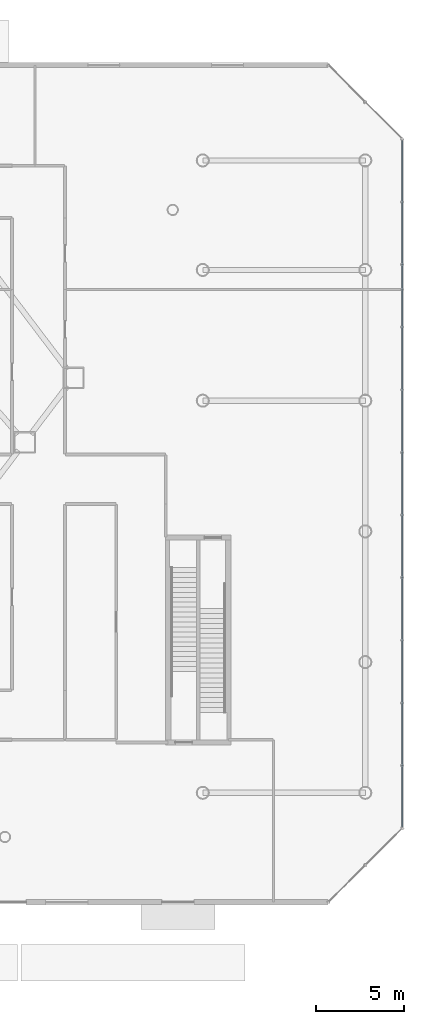
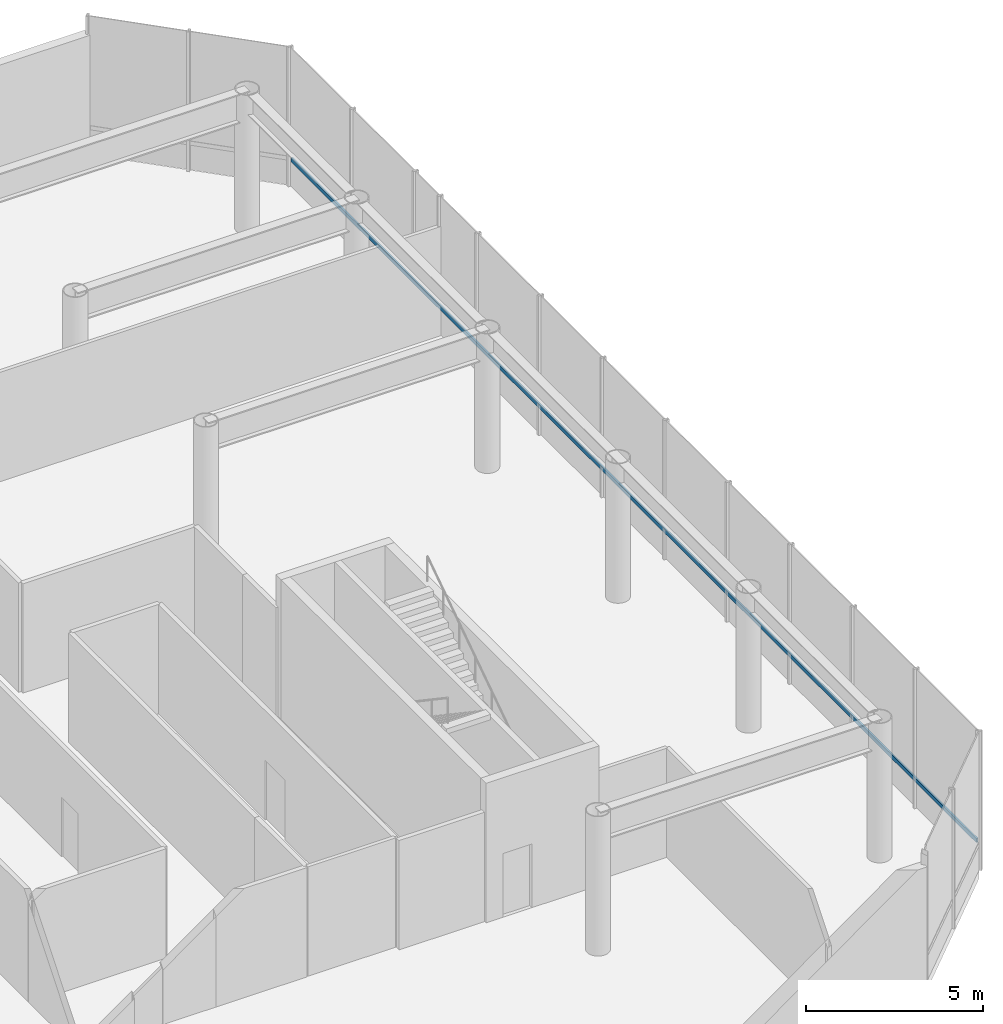
# One storey, part 17 of 31: 1 member, 1 element without a shape of its own.
"""IFC4 building model written with IfcOpenShell, lengths in metres."""

from ifc_helpers import new_model, si_unit, direction, frame, origin, origin_2d, place, context, subcontext, project, spatial, hollow_rectangle, extrude, material, layer, layer_set, material_profile, profile_set, type_object, element, aggregate, save


model = new_model("IFC4")

# Units and contexts
model_context = context("Model", 3, precision=1e-05, world=origin(), true_north=direction((0.0, 1.0)))
body_context = subcontext(model_context, "Body", "Model", "MODEL_VIEW")
ifc_project = project(units=[si_unit("LENGTHUNIT", "METRE"), si_unit("AREAUNIT", "SQUARE_METRE"), si_unit("VOLUMEUNIT", "CUBIC_METRE"), si_unit("PLANEANGLEUNIT", "RADIAN"), si_unit("MASSUNIT", "GRAM", prefix="KILO")], contexts=[model_context])

# Site, building, storey
site_placement = place(None, origin())
site = spatial("IfcSite", under=ifc_project, at=site_placement, CompositionType="ELEMENT")
building_placement = place(site_placement, origin())
building = spatial("IfcBuilding", under=site, at=building_placement, Name="Zarrinselat Tower", CompositionType="ELEMENT")
storey_placement = place(building_placement, origin())
storey = spatial("IfcBuildingStorey", under=building, at=storey_placement, Name="L00", CompositionType="ELEMENT", Elevation=0.0)

# Curtain wall, member
ifc_material_1 = material(Name="Extruded Aluminium Alloy EN AW-6063 T6", Category="aluminium")
ifc_layer = layer(ifc_material_1, 0.2099609375)
ifc_layer_set = layer_set([ifc_layer], Name="Extruded Aluminium Alloy EN AW-6063 T6")
curtain_wall_type = type_object("IfcCurtainWallType", Name="CWS-POD", PredefinedType="NOTDEFINED", material=ifc_layer_set)
curtain_wall_placement = place(storey_placement, origin())
curtain_wall = element("IfcCurtainWall", 1, at=curtain_wall_placement, inside=storey, type_object=curtain_wall_type, Name="L00 Unitised Curtain Wall CW-L00-E3", PredefinedType="NOTDEFINED")
ifc_material_2 = material(Name="Extruded Aluminium Alloy EN AW-6063 T6", Category="aluminium")
ifc_material_profile = material_profile(ifc_material_2, hollow_rectangle(XDim=0.06005859375, YDim=0.139892578125, WallThickness=0.00390625, at=origin_2d()), Name="RHS 140x60x4")
ifc_profile_set = profile_set([ifc_material_profile], Name="Extruded Aluminium Alloy EN AW-6063 T6")
member_type = type_object("IfcMemberType", Name="MEM-CW-TRN", PredefinedType="USERDEFINED", material=ifc_profile_set)
member_placement = place(storey_placement, frame((79.300048828125, 9.090087890625, 0.949951171875), z_axis=(0.0, 1.0, 0.0), x_axis=(-1.0, 0.0, 0.0)))
member = element("IfcMember", 2, at=member_placement, type_object=member_type, Name="CW-L00-E3 Transom 1", ObjectType="TRANSOM", PredefinedType="USERDEFINED", context=body_context, shape_type="SweptSolid", body=[
    extrude(hollow_rectangle(XDim=0.06005859375, YDim=0.139892578125, WallThickness=0.00390625, at=origin_2d()), origin(), (0.0, 0.0, 1.0), 38.81982421875),
])
aggregate(curtain_wall, [member])

save(model, "model.ifc")
